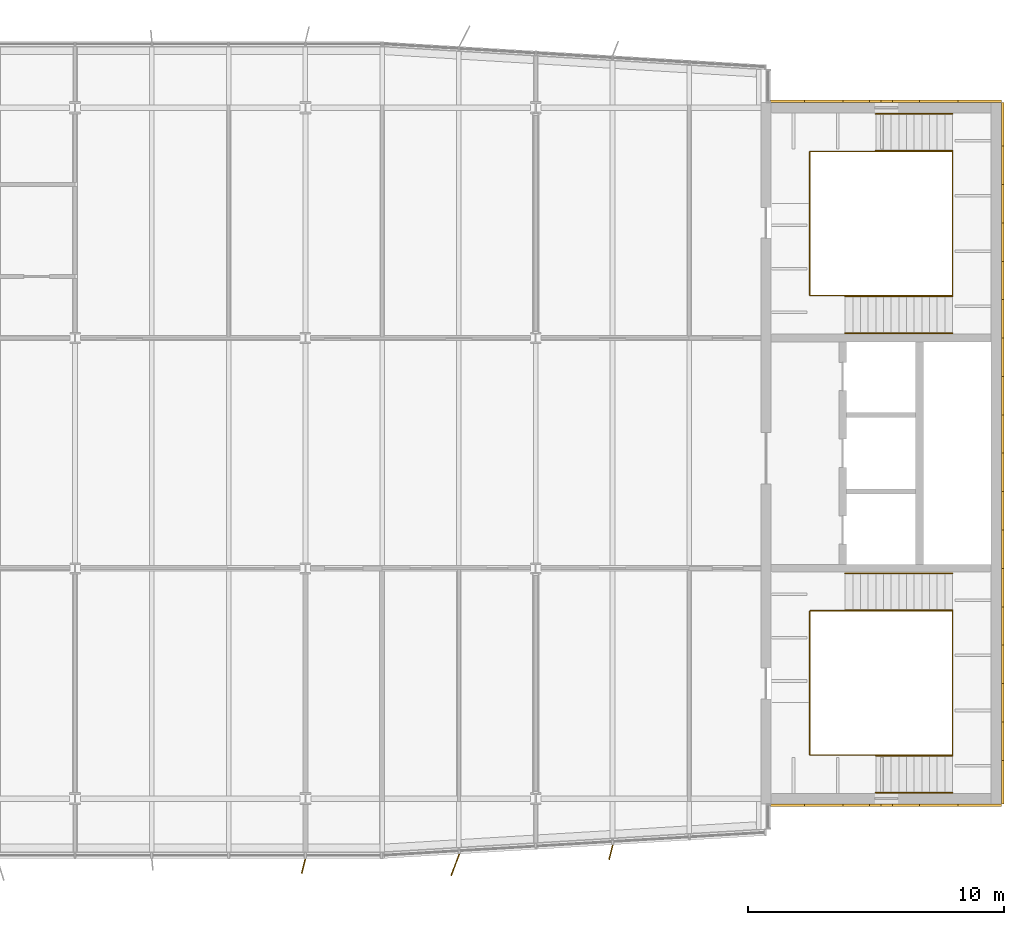
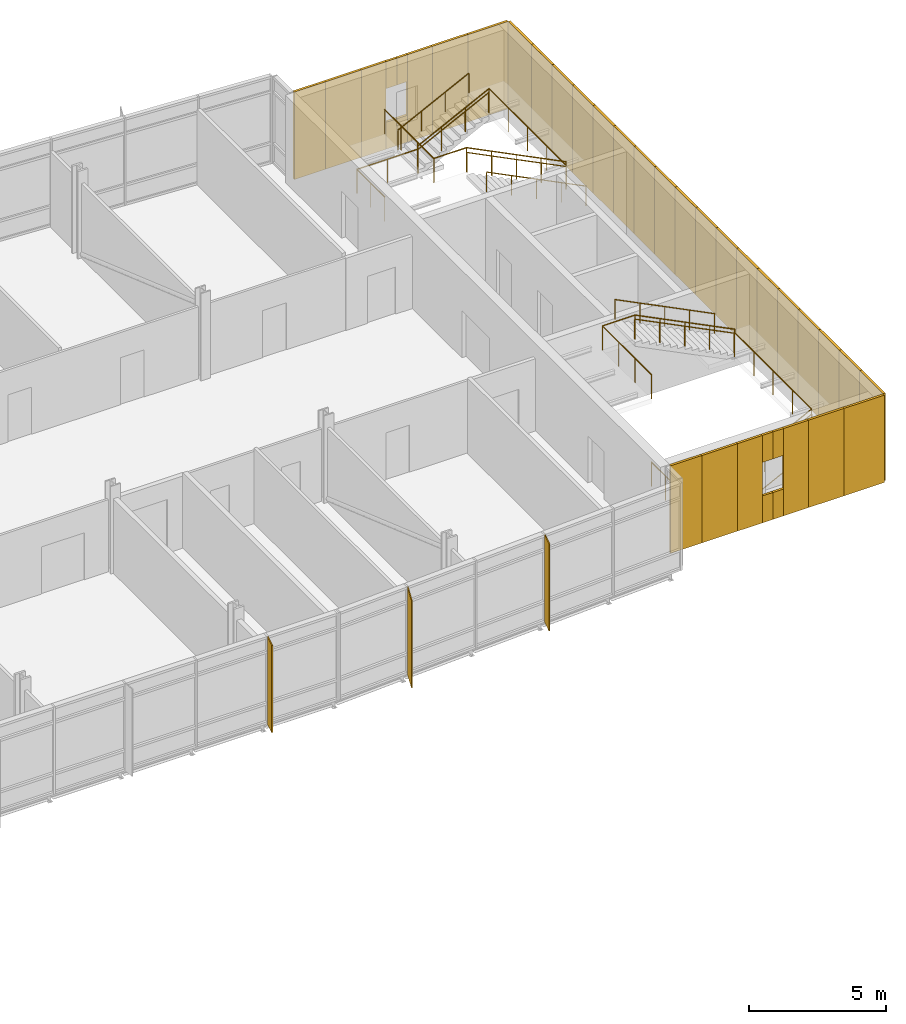
# One storey, part 16 of 17: 38 coverings, 10 railings, 3 shading devices.
"""IFC4 building model written with IfcOpenShell, lengths in metres."""

from ifc_helpers import new_model, si_unit, direction, frame, origin, origin_2d, place, context, subcontext, project, spatial, rectangle, circle, extrude, material, layer, layer_set, type_object, element, save


model = new_model("IFC4")

# Units and contexts
model_context = context("Model", 3, precision=1e-05, world=origin(), true_north=direction((0.0, 1.0)))
body_context = subcontext(model_context, "Body", "Model", "MODEL_VIEW")
ifc_project = project(units=[si_unit("LENGTHUNIT", "METRE"), si_unit("AREAUNIT", "SQUARE_METRE"), si_unit("VOLUMEUNIT", "CUBIC_METRE"), si_unit("PLANEANGLEUNIT", "RADIAN"), si_unit("MASSUNIT", "GRAM", prefix="KILO")], contexts=[model_context])

# Site, building, storey
site_placement = place(None, origin())
site = spatial("IfcSite", under=ifc_project, at=site_placement, CompositionType="ELEMENT")
building_placement = place(site_placement, origin())
building = spatial("IfcBuilding", under=site, at=building_placement, Name="Azimuth Sports and Learning Centre", CompositionType="ELEMENT")
storey_placement = place(building_placement, frame((0.0, 0.0, 40.199951171875)))
storey = spatial("IfcBuildingStorey", under=building, at=storey_placement, Name="L08", CompositionType="ELEMENT", Elevation=40.199951171875)

# Coverings
ifc_material_1 = material(Name="Cladding panel")
ifc_layer_1 = layer(ifc_material_1, 0.10009765625)
ifc_layer_set_1 = layer_set([ifc_layer_1], Name="Cladding panel")
covering_type = type_object("IfcCoveringType", Name="Cladding panel 100", PredefinedType="CLADDING", material=ifc_layer_set_1)
covering_1_placement = place(storey_placement, frame((108.840087890625, 89.75, 0.0), z_axis=(0.0, 0.0, 1.0), x_axis=(1.0, 0.0, 0.0)))
element("IfcCovering", 1, at=covering_1_placement, inside=storey, type_object=covering_type, Name="Cladding panel S-CORE E L08 1", PredefinedType="CLADDING", context=body_context, shape_type="SweptSolid", body=[
    extrude(rectangle(XDim=1.320068359375, YDim=0.10009765625, at=origin_2d()), origin(), (0.0, 0.0, 1.0), 3.89990234375),
])
covering_2_placement = place(storey_placement, frame((110.25, 89.75, 0.0), z_axis=(0.0, 0.0, 1.0), x_axis=(1.0, 0.0, 0.0)))
element("IfcCovering", 2, at=covering_2_placement, inside=storey, type_object=covering_type, Name="Cladding panel S-CORE E L08 2", PredefinedType="CLADDING", context=body_context, shape_type="SweptSolid", body=[
    extrude(rectangle(XDim=1.5, YDim=0.10009765625, at=origin_2d()), origin(), (0.0, 0.0, 1.0), 3.89990234375),
])
covering_3_placement = place(storey_placement, frame((111.52490234375, 89.75, 0.0), z_axis=(0.0, 0.0, 1.0), x_axis=(1.0, 0.0, 0.0)))
element("IfcCovering", 3, at=covering_3_placement, inside=storey, type_object=covering_type, Name="Cladding panel S-CORE E L08 3", PredefinedType="CLADDING", context=body_context, shape_type="SweptSolid", body=[
    extrude(rectangle(XDim=1.050048828125, YDim=0.10009765625, at=origin_2d()), origin(), (0.0, 0.0, 1.0), 3.89990234375),
])
for number, where, z_axis, x_axis, name in (
    (4, (112.27490234375, 89.75, 0.0), (0.0, 0.0, 1.0), (1.0, 0.0, 0.0), "Cladding panel S-CORE E L08 4"),
    (5, (112.27490234375, 89.75, 2.7001953125), (0.0, 0.0, 1.0), (1.0, 0.0, 0.0), "Cladding panel S-CORE E L08 5"),
):
    element("IfcCovering", number, at=place(storey_placement, frame(where, z_axis=z_axis, x_axis=x_axis)), inside=storey, type_object=covering_type, Name=name, PredefinedType="CLADDING", context=body_context, shape_type="SweptSolid", body=[
        extrude(rectangle(XDim=0.449951171875, YDim=0.10009765625, at=origin_2d()), origin(), (0.0, 0.0, 1.0), 1.199951171875),
    ])
covering_4_placement = place(storey_placement, frame((113.47509765625, 89.75, 0.0), z_axis=(0.0, 0.0, 1.0), x_axis=(1.0, 0.0, 0.0)))
element("IfcCovering", 6, at=covering_4_placement, inside=storey, type_object=covering_type, Name="Cladding panel S-CORE E L08 6", PredefinedType="CLADDING", context=body_context, shape_type="SweptSolid", body=[
    extrude(rectangle(XDim=1.050048828125, YDim=0.10009765625, at=origin_2d()), origin(), (0.0, 0.0, 1.0), 3.89990234375),
])
for number, where, z_axis, x_axis, name in (
    (7, (112.72509765625, 89.75, 0.0), (0.0, 0.0, 1.0), (1.0, 0.0, 0.0), "Cladding panel S-CORE E L08 7"),
    (8, (112.72509765625, 89.75, 2.7001953125), (0.0, 0.0, 1.0), (1.0, 0.0, 0.0), "Cladding panel S-CORE E L08 8"),
):
    element("IfcCovering", number, at=place(storey_placement, frame(where, z_axis=z_axis, x_axis=x_axis)), inside=storey, type_object=covering_type, Name=name, PredefinedType="CLADDING", context=body_context, shape_type="SweptSolid", body=[
        extrude(rectangle(XDim=0.449951171875, YDim=0.10009765625, at=origin_2d()), origin(), (0.0, 0.0, 1.0), 1.199951171875),
    ])
covering_5_placement = place(storey_placement, frame((114.75, 89.75, 0.0), z_axis=(0.0, 0.0, 1.0), x_axis=(1.0, 0.0, 0.0)))
element("IfcCovering", 9, at=covering_5_placement, inside=storey, type_object=covering_type, Name="Cladding panel S-CORE E L08 9", PredefinedType="CLADDING", context=body_context, shape_type="SweptSolid", body=[
    extrude(rectangle(XDim=1.5, YDim=0.10009765625, at=origin_2d()), origin(), (0.0, 0.0, 1.0), 3.89990234375),
])
for number, where, z_axis, x_axis, name in (
    (10, (116.35009765625, 89.75, 0.0), (0.0, 0.0, 1.0), (1.0, 0.0, 0.0), "Cladding panel S-CORE E L08 10"),
    (11, (117.25, 90.64990234375, 0.0), (0.0, 0.0, 1.0), (0.0, 1.0, 0.0), "Cladding panel E-CORE E L08 1"),
):
    element("IfcCovering", number, at=place(storey_placement, frame(where, z_axis=z_axis, x_axis=x_axis)), inside=storey, type_object=covering_type, Name=name, PredefinedType="CLADDING", context=body_context, shape_type="SweptSolid", body=[
        extrude(rectangle(XDim=1.699951171875, YDim=0.10009765625, at=origin_2d()), origin(), (0.0, 0.0, 1.0), 3.89990234375),
    ])
for number, where, z_axis, x_axis, name in (
    (12, (117.25, 92.25, 0.0), (0.0, 0.0, 1.0), (0.0, 1.0, 0.0), "Cladding panel E-CORE E L08 2"),
    (13, (117.25, 93.75, 0.0), (0.0, 0.0, 1.0), (0.0, 1.0, 0.0), "Cladding panel E-CORE E L08 3"),
    (14, (117.25, 95.25, 0.0), (0.0, 0.0, 1.0), (0.0, 1.0, 0.0), "Cladding panel E-CORE E L08 4"),
    (15, (117.25, 96.75, 0.0), (0.0, 0.0, 1.0), (0.0, 1.0, 0.0), "Cladding panel E-CORE E L08 5"),
    (16, (117.25, 98.25, 0.0), (0.0, 0.0, 1.0), (0.0, 1.0, 0.0), "Cladding panel E-CORE E L08 6"),
    (17, (117.25, 99.75, 0.0), (0.0, 0.0, 1.0), (0.0, 1.0, 0.0), "Cladding panel E-CORE E L08 7"),
    (18, (117.25, 101.25, 0.0), (0.0, 0.0, 1.0), (0.0, 1.0, 0.0), "Cladding panel E-CORE E L08 8"),
    (19, (117.25, 102.75, 0.0), (0.0, 0.0, 1.0), (0.0, 1.0, 0.0), "Cladding panel E-CORE E L08 9"),
    (20, (117.25, 104.25, 0.0), (0.0, 0.0, 1.0), (0.0, 1.0, 0.0), "Cladding panel E-CORE E L08 10"),
    (21, (117.25, 105.75, 0.0), (0.0, 0.0, 1.0), (0.0, 1.0, 0.0), "Cladding panel E-CORE E L08 11"),
    (22, (117.25, 107.25, 0.0), (0.0, 0.0, 1.0), (0.0, 1.0, 0.0), "Cladding panel E-CORE E L08 12"),
    (23, (117.25, 108.75, 0.0), (0.0, 0.0, 1.0), (0.0, 1.0, 0.0), "Cladding panel E-CORE E L08 13"),
    (24, (117.25, 110.25, 0.0), (0.0, 0.0, 1.0), (0.0, 1.0, 0.0), "Cladding panel E-CORE E L08 14"),
    (25, (117.25, 111.75, 0.0), (0.0, 0.0, 1.0), (0.0, 1.0, 0.0), "Cladding panel E-CORE E L08 15"),
    (26, (117.25, 113.25, 0.0), (0.0, 0.0, 1.0), (0.0, 1.0, 0.0), "Cladding panel E-CORE E L08 16"),
    (27, (117.25, 114.75, 0.0), (0.0, 0.0, 1.0), (0.0, 1.0, 0.0), "Cladding panel E-CORE E L08 17"),
):
    element("IfcCovering", number, at=place(storey_placement, frame(where, z_axis=z_axis, x_axis=x_axis)), inside=storey, type_object=covering_type, Name=name, PredefinedType="CLADDING", context=body_context, shape_type="SweptSolid", body=[
        extrude(rectangle(XDim=1.5, YDim=0.10009765625, at=origin_2d()), origin(), (0.0, 0.0, 1.0), 3.89990234375),
    ])
for number, where, z_axis, x_axis, name in (
    (28, (117.25, 116.35009765625, 0.0), (0.0, 0.0, 1.0), (0.0, 1.0, 0.0), "Cladding panel E-CORE E L08 18"),
    (29, (116.35009765625, 117.25, 0.0), (0.0, 0.0, 1.0), (-1.0, 0.0, 0.0), "Cladding panel N-CORE E L08 1"),
):
    element("IfcCovering", number, at=place(storey_placement, frame(where, z_axis=z_axis, x_axis=x_axis)), inside=storey, type_object=covering_type, Name=name, PredefinedType="CLADDING", context=body_context, shape_type="SweptSolid", body=[
        extrude(rectangle(XDim=1.699951171875, YDim=0.10009765625, at=origin_2d()), origin(), (0.0, 0.0, 1.0), 3.89990234375),
    ])
covering_6_placement = place(storey_placement, frame((114.75, 117.25, 0.0), z_axis=(0.0, 0.0, 1.0), x_axis=(-1.0, 0.0, 0.0)))
element("IfcCovering", 30, at=covering_6_placement, inside=storey, type_object=covering_type, Name="Cladding panel N-CORE E L08 2", PredefinedType="CLADDING", context=body_context, shape_type="SweptSolid", body=[
    extrude(rectangle(XDim=1.5, YDim=0.10009765625, at=origin_2d()), origin(), (0.0, 0.0, 1.0), 3.89990234375),
])
covering_7_placement = place(storey_placement, frame((113.47509765625, 117.25, 0.0), z_axis=(0.0, 0.0, 1.0), x_axis=(-1.0, 0.0, 0.0)))
element("IfcCovering", 31, at=covering_7_placement, inside=storey, type_object=covering_type, Name="Cladding panel N-CORE E L08 3", PredefinedType="CLADDING", context=body_context, shape_type="SweptSolid", body=[
    extrude(rectangle(XDim=1.050048828125, YDim=0.10009765625, at=origin_2d()), origin(), (0.0, 0.0, 1.0), 3.89990234375),
])
for number, where, z_axis, x_axis, name in (
    (32, (112.72509765625, 117.25, 0.0), (0.0, 0.0, 1.0), (-1.0, 0.0, 0.0), "Cladding panel N-CORE E L08 4"),
    (33, (112.72509765625, 117.25, 2.7001953125), (0.0, 0.0, 1.0), (-1.0, 0.0, 0.0), "Cladding panel N-CORE E L08 5"),
):
    element("IfcCovering", number, at=place(storey_placement, frame(where, z_axis=z_axis, x_axis=x_axis)), inside=storey, type_object=covering_type, Name=name, PredefinedType="CLADDING", context=body_context, shape_type="SweptSolid", body=[
        extrude(rectangle(XDim=0.449951171875, YDim=0.10009765625, at=origin_2d()), origin(), (0.0, 0.0, 1.0), 1.199951171875),
    ])
covering_8_placement = place(storey_placement, frame((111.52490234375, 117.25, 0.0), z_axis=(0.0, 0.0, 1.0), x_axis=(-1.0, 0.0, 0.0)))
element("IfcCovering", 34, at=covering_8_placement, inside=storey, type_object=covering_type, Name="Cladding panel N-CORE E L08 6", PredefinedType="CLADDING", context=body_context, shape_type="SweptSolid", body=[
    extrude(rectangle(XDim=1.050048828125, YDim=0.10009765625, at=origin_2d()), origin(), (0.0, 0.0, 1.0), 3.89990234375),
])
for number, where, z_axis, x_axis, name in (
    (35, (112.27490234375, 117.25, 0.0), (0.0, 0.0, 1.0), (-1.0, 0.0, 0.0), "Cladding panel N-CORE E L08 7"),
    (36, (112.27490234375, 117.25, 2.7001953125), (0.0, 0.0, 1.0), (-1.0, 0.0, 0.0), "Cladding panel N-CORE E L08 8"),
):
    element("IfcCovering", number, at=place(storey_placement, frame(where, z_axis=z_axis, x_axis=x_axis)), inside=storey, type_object=covering_type, Name=name, PredefinedType="CLADDING", context=body_context, shape_type="SweptSolid", body=[
        extrude(rectangle(XDim=0.449951171875, YDim=0.10009765625, at=origin_2d()), origin(), (0.0, 0.0, 1.0), 1.199951171875),
    ])
covering_9_placement = place(storey_placement, frame((110.25, 117.25, 0.0), z_axis=(0.0, 0.0, 1.0), x_axis=(-1.0, 0.0, 0.0)))
element("IfcCovering", 37, at=covering_9_placement, inside=storey, type_object=covering_type, Name="Cladding panel N-CORE E L08 9", PredefinedType="CLADDING", context=body_context, shape_type="SweptSolid", body=[
    extrude(rectangle(XDim=1.5, YDim=0.10009765625, at=origin_2d()), origin(), (0.0, 0.0, 1.0), 3.89990234375),
])
covering_10_placement = place(storey_placement, frame((108.840087890625, 117.25, 0.0), z_axis=(0.0, 0.0, 1.0), x_axis=(-1.0, 0.0, 0.0)))
element("IfcCovering", 38, at=covering_10_placement, inside=storey, type_object=covering_type, Name="Cladding panel N-CORE E L08 10", PredefinedType="CLADDING", context=body_context, shape_type="SweptSolid", body=[
    extrude(rectangle(XDim=1.320068359375, YDim=0.10009765625, at=origin_2d()), origin(), (0.0, 0.0, 1.0), 3.89990234375),
])

# Shading devices
ifc_material_2 = material(Name="Aluminium", Category="aluminium")
ifc_layer_2 = layer(ifc_material_2, 0.0400390625)
ifc_layer_set_2 = layer_set([ifc_layer_2], Name="Aluminium")
shading_device_type_1 = type_object("IfcShadingDeviceType", Name="Shading fin 600", PredefinedType="JALOUSIE", material=ifc_layer_set_2)
for number, where, z_axis, x_axis, name in (
    (39, (89.927001953125, 87.369140625, 0.0), (0.0, 0.0, 1.0), (-0.243730896369, -0.969842899729, 0.0), "Shading fin F08-005"),
    (40, (101.939697265625, 87.909912109375, 0.0), (0.0, 0.0, 1.0), (-0.24872137434, -0.968575076051, 0.0), "Shading fin F08-007"),
):
    element("IfcShadingDevice", number, at=place(storey_placement, frame(where, z_axis=z_axis, x_axis=x_axis)), inside=storey, type_object=shading_device_type_1, Name=name, PredefinedType="JALOUSIE", context=body_context, shape_type="SweptSolid", body=[
        extrude(rectangle(XDim=0.60009765625, YDim=0.0400390625, at=origin_2d()), origin(), (0.0, 0.0, 1.0), 3.89990234375),
    ])
ifc_material_3 = material(Name="Aluminium", Category="aluminium")
ifc_layer_3 = layer(ifc_material_3, 0.0400390625)
ifc_layer_set_3 = layer_set([ifc_layer_3], Name="Aluminium")
shading_device_type_2 = type_object("IfcShadingDeviceType", Name="Shading fin 900", PredefinedType="JALOUSIE", material=ifc_layer_set_3)
shading_device_placement = place(storey_placement, frame((95.857177734375, 87.418701171875, 0.0), z_axis=(0.0, 0.0, 1.0), x_axis=(-0.349143100646, -0.937069418598, 0.0)))
element("IfcShadingDevice", 41, at=shading_device_placement, inside=storey, type_object=shading_device_type_2, Name="Shading fin F08-006", PredefinedType="JALOUSIE", context=body_context, shape_type="SweptSolid", body=[
    extrude(rectangle(XDim=0.89990234375, YDim=0.0400390625, at=origin_2d()), origin(), (0.0, 0.0, 1.0), 3.89990234375),
])

# Railings
ifc_material_4 = material(Name="Stainless steel", Category="steel")
railing_type_1 = type_object("IfcRailingType", Name="Stair guard 1100", PredefinedType="GUARDRAIL", material=ifc_material_4)
railing_1_placement = place(storey_placement, frame((109.7099609375, 93.75, 0.0)))
element("IfcRailing", 42, at=railing_1_placement, inside=storey, type_object=railing_type_1, Name="Guard E1 L08 well", PredefinedType="GUARDRAIL", context=body_context, shape_type="SweptSolid", body=[
    extrude(circle(Radius=0.02392578125, at=origin_2d()), frame((0.0, 0.0, 1.076171875), z_axis=(0.0, -1.0, 0.0), x_axis=(1.0, 0.0, 0.0)), (0.0, 0.0, 1.0), 2.0400390625),
    extrude(circle(Radius=0.02392578125, at=origin_2d()), frame((0.0, -2.0400390625, 1.076171875), z_axis=(1.0, 0.0, 0.0), x_axis=(0.0, 1.0, 0.0)), (0.0, 0.0, 1.0), 2.580078125),
    extrude(circle(Radius=0.02392578125, at=origin_2d()), frame((2.580078125, -2.0400390625, 1.076171875), z_axis=(0.0, 0.0, 1.0), x_axis=(1.0, 0.0, 0.0)), (0.0, 0.0, 1.0), 0.150146484375),
    extrude(circle(Radius=0.02392578125, at=origin_2d()), frame((2.580078125, -2.0400390625, 1.22607421875), z_axis=(0.894427191, 0.0, 0.4472135955), x_axis=(0.0, 1.0, 0.0)), (0.0, 0.0, 1.0), 3.35400390625),
    extrude(circle(Radius=0.02392578125, at=origin_2d()), frame((5.580078125, -2.0400390625, 2.72607421875), z_axis=(0.0, 1.0, 0.0), x_axis=(-1.0, 0.0, 0.0)), (0.0, 0.0, 1.0), 5.630126953125),
    extrude(circle(Radius=0.02392578125, at=origin_2d()), frame((5.580078125, 3.590087890625, 2.72607421875), z_axis=(0.0, 0.0, 1.0), x_axis=(1.0, 0.0, 0.0)), (0.0, 0.0, 1.0), 0.14990234375),
    extrude(circle(Radius=0.02392578125, at=origin_2d()), frame((5.580078125, 3.590087890625, 2.8759765625), z_axis=(-0.894416792377, 0.0, 0.447234392142), x_axis=(0.0, -1.0, 0.0)), (0.0, 0.0, 1.0), 4.69580078125),
    extrude(circle(Radius=0.02392578125, at=origin_2d()), frame((1.380126953125, 3.590087890625, 4.97607421875), z_axis=(-1.0, 0.0, 0.0), x_axis=(0.0, -1.0, 0.0)), (0.0, 0.0, 1.0), 1.380126953125),
    extrude(circle(Radius=0.02392578125, at=origin_2d()), frame((0.0, 3.590087890625, 4.97607421875), z_axis=(0.0, -1.0, 0.0), x_axis=(1.0, 0.0, 0.0)), (0.0, 0.0, 1.0), 3.590087890625),
    extrude(circle(Radius=0.01611328125, at=origin_2d()), origin(), (0.0, 0.0, 1.0), 1.052001953125),
    extrude(circle(Radius=0.01611328125, at=origin_2d()), frame((0.0, -1.02001953125, 0.0)), (0.0, 0.0, 1.0), 1.052001953125),
    extrude(circle(Radius=0.01611328125, at=origin_2d()), frame((0.0, -2.0400390625, 0.0)), (0.0, 0.0, 1.0), 1.052001953125),
    extrude(circle(Radius=0.01611328125, at=origin_2d()), frame((1.2900390625, -2.0400390625, 0.0)), (0.0, 0.0, 1.0), 1.052001953125),
    extrude(circle(Radius=0.01611328125, at=origin_2d()), frame((2.580078125, -2.0400390625, 0.0)), (0.0, 0.0, 1.0), 1.052001953125),
    extrude(circle(Radius=0.01611328125, at=origin_2d()), frame((2.580078125, -2.0400390625, 0.150146484375)), (0.0, 0.0, 1.0), 1.052001953125),
    extrude(circle(Radius=0.01611328125, at=origin_2d()), frame((3.580078125, -2.0400390625, 0.650146484375)), (0.0, 0.0, 1.0), 1.052001953125),
    extrude(circle(Radius=0.01611328125, at=origin_2d()), frame((4.580078125, -2.0400390625, 1.150146484375)), (0.0, 0.0, 1.0), 1.052001953125),
    extrude(circle(Radius=0.01611328125, at=origin_2d()), frame((5.580078125, -2.0400390625, 1.650146484375)), (0.0, 0.0, 1.0), 1.052001953125),
    extrude(circle(Radius=0.01611328125, at=origin_2d()), frame((5.580078125, -0.632568359375, 1.650146484375)), (0.0, 0.0, 1.0), 1.052001953125),
    extrude(circle(Radius=0.01611328125, at=origin_2d()), frame((5.580078125, 0.77490234375, 1.650146484375)), (0.0, 0.0, 1.0), 1.052001953125),
    extrude(circle(Radius=0.01611328125, at=origin_2d()), frame((5.580078125, 2.1826171875, 1.650146484375)), (0.0, 0.0, 1.0), 1.052001953125),
    extrude(circle(Radius=0.01611328125, at=origin_2d()), frame((5.580078125, 3.590087890625, 1.650146484375)), (0.0, 0.0, 1.0), 1.052001953125),
    extrude(circle(Radius=0.01611328125, at=origin_2d()), frame((5.580078125, 3.590087890625, 1.800048828125)), (0.0, 0.0, 1.0), 1.052001953125),
    extrude(circle(Radius=0.01611328125, at=origin_2d()), frame((4.530029296875, 3.590087890625, 2.3251953125)), (0.0, 0.0, 1.0), 1.052001953125),
    extrude(circle(Radius=0.01611328125, at=origin_2d()), frame((3.47998046875, 3.590087890625, 2.85009765625)), (0.0, 0.0, 1.0), 1.052001953125),
    extrude(circle(Radius=0.01611328125, at=origin_2d()), frame((2.43017578125, 3.590087890625, 3.375)), (0.0, 0.0, 1.0), 1.052001953125),
    extrude(circle(Radius=0.01611328125, at=origin_2d()), frame((1.380126953125, 3.590087890625, 3.900146484375)), (0.0, 0.0, 1.0), 1.052001953125),
    extrude(circle(Radius=0.01611328125, at=origin_2d()), frame((0.0, 3.590087890625, 3.900146484375)), (0.0, 0.0, 1.0), 1.052001953125),
    extrude(circle(Radius=0.01611328125, at=origin_2d()), frame((0.0, 2.393310546875, 3.900146484375)), (0.0, 0.0, 1.0), 1.052001953125),
    extrude(circle(Radius=0.01611328125, at=origin_2d()), frame((0.0, 1.19677734375, 3.900146484375)), (0.0, 0.0, 1.0), 1.052001953125),
    extrude(circle(Radius=0.01611328125, at=origin_2d()), frame((0.0, 0.0, 3.900146484375)), (0.0, 0.0, 1.0), 1.052001953125),
])
railing_2_placement = place(storey_placement, frame((109.7099609375, 113.25, 0.0)))
element("IfcRailing", 43, at=railing_2_placement, inside=storey, type_object=railing_type_1, Name="Guard E2 L08 well", PredefinedType="GUARDRAIL", context=body_context, shape_type="SweptSolid", body=[
    extrude(circle(Radius=0.02392578125, at=origin_2d()), frame((0.0, 0.0, 1.076171875), z_axis=(0.0, 1.0, 0.0), x_axis=(-1.0, 0.0, 0.0)), (0.0, 0.0, 1.0), 2.0400390625),
    extrude(circle(Radius=0.02392578125, at=origin_2d()), frame((0.0, 2.0400390625, 1.076171875), z_axis=(1.0, 0.0, 0.0), x_axis=(0.0, 1.0, 0.0)), (0.0, 0.0, 1.0), 2.580078125),
    extrude(circle(Radius=0.02392578125, at=origin_2d()), frame((2.580078125, 2.0400390625, 1.076171875), z_axis=(0.0, 0.0, 1.0), x_axis=(1.0, 0.0, 0.0)), (0.0, 0.0, 1.0), 0.150146484375),
    extrude(circle(Radius=0.02392578125, at=origin_2d()), frame((2.580078125, 2.0400390625, 1.22607421875), z_axis=(0.894427191, 0.0, 0.4472135955), x_axis=(0.0, 1.0, 0.0)), (0.0, 0.0, 1.0), 3.35400390625),
    extrude(circle(Radius=0.02392578125, at=origin_2d()), frame((5.580078125, 2.0400390625, 2.72607421875), z_axis=(0.0, -1.0, 0.0), x_axis=(1.0, 0.0, 0.0)), (0.0, 0.0, 1.0), 5.630126953125),
    extrude(circle(Radius=0.02392578125, at=origin_2d()), frame((5.580078125, -3.590087890625, 2.72607421875), z_axis=(0.0, 0.0, 1.0), x_axis=(1.0, 0.0, 0.0)), (0.0, 0.0, 1.0), 0.14990234375),
    extrude(circle(Radius=0.02392578125, at=origin_2d()), frame((5.580078125, -3.590087890625, 2.8759765625), z_axis=(-0.894416792377, 0.0, 0.447234392142), x_axis=(0.0, -1.0, 0.0)), (0.0, 0.0, 1.0), 4.69580078125),
    extrude(circle(Radius=0.02392578125, at=origin_2d()), frame((1.380126953125, -3.590087890625, 4.97607421875), z_axis=(-1.0, 0.0, 0.0), x_axis=(0.0, -1.0, 0.0)), (0.0, 0.0, 1.0), 1.380126953125),
    extrude(circle(Radius=0.02392578125, at=origin_2d()), frame((0.0, -3.590087890625, 4.97607421875), z_axis=(0.0, 1.0, 0.0), x_axis=(-1.0, 0.0, 0.0)), (0.0, 0.0, 1.0), 3.590087890625),
    extrude(circle(Radius=0.01611328125, at=origin_2d()), origin(), (0.0, 0.0, 1.0), 1.052001953125),
    extrude(circle(Radius=0.01611328125, at=origin_2d()), frame((0.0, 1.02001953125, 0.0)), (0.0, 0.0, 1.0), 1.052001953125),
    extrude(circle(Radius=0.01611328125, at=origin_2d()), frame((0.0, 2.0400390625, 0.0)), (0.0, 0.0, 1.0), 1.052001953125),
    extrude(circle(Radius=0.01611328125, at=origin_2d()), frame((1.2900390625, 2.0400390625, 0.0)), (0.0, 0.0, 1.0), 1.052001953125),
    extrude(circle(Radius=0.01611328125, at=origin_2d()), frame((2.580078125, 2.0400390625, 0.0)), (0.0, 0.0, 1.0), 1.052001953125),
    extrude(circle(Radius=0.01611328125, at=origin_2d()), frame((2.580078125, 2.0400390625, 0.150146484375)), (0.0, 0.0, 1.0), 1.052001953125),
    extrude(circle(Radius=0.01611328125, at=origin_2d()), frame((3.580078125, 2.0400390625, 0.650146484375)), (0.0, 0.0, 1.0), 1.052001953125),
    extrude(circle(Radius=0.01611328125, at=origin_2d()), frame((4.580078125, 2.0400390625, 1.150146484375)), (0.0, 0.0, 1.0), 1.052001953125),
    extrude(circle(Radius=0.01611328125, at=origin_2d()), frame((5.580078125, 2.0400390625, 1.650146484375)), (0.0, 0.0, 1.0), 1.052001953125),
    extrude(circle(Radius=0.01611328125, at=origin_2d()), frame((5.580078125, 0.632568359375, 1.650146484375)), (0.0, 0.0, 1.0), 1.052001953125),
    extrude(circle(Radius=0.01611328125, at=origin_2d()), frame((5.580078125, -0.77490234375, 1.650146484375)), (0.0, 0.0, 1.0), 1.052001953125),
    extrude(circle(Radius=0.01611328125, at=origin_2d()), frame((5.580078125, -2.1826171875, 1.650146484375)), (0.0, 0.0, 1.0), 1.052001953125),
    extrude(circle(Radius=0.01611328125, at=origin_2d()), frame((5.580078125, -3.590087890625, 1.650146484375)), (0.0, 0.0, 1.0), 1.052001953125),
    extrude(circle(Radius=0.01611328125, at=origin_2d()), frame((5.580078125, -3.590087890625, 1.800048828125)), (0.0, 0.0, 1.0), 1.052001953125),
    extrude(circle(Radius=0.01611328125, at=origin_2d()), frame((4.530029296875, -3.590087890625, 2.3251953125)), (0.0, 0.0, 1.0), 1.052001953125),
    extrude(circle(Radius=0.01611328125, at=origin_2d()), frame((3.47998046875, -3.590087890625, 2.85009765625)), (0.0, 0.0, 1.0), 1.052001953125),
    extrude(circle(Radius=0.01611328125, at=origin_2d()), frame((2.43017578125, -3.590087890625, 3.375)), (0.0, 0.0, 1.0), 1.052001953125),
    extrude(circle(Radius=0.01611328125, at=origin_2d()), frame((1.380126953125, -3.590087890625, 3.900146484375)), (0.0, 0.0, 1.0), 1.052001953125),
    extrude(circle(Radius=0.01611328125, at=origin_2d()), frame((0.0, -3.590087890625, 3.900146484375)), (0.0, 0.0, 1.0), 1.052001953125),
    extrude(circle(Radius=0.01611328125, at=origin_2d()), frame((0.0, -2.393310546875, 3.900146484375)), (0.0, 0.0, 1.0), 1.052001953125),
    extrude(circle(Radius=0.01611328125, at=origin_2d()), frame((0.0, -1.19677734375, 3.900146484375)), (0.0, 0.0, 1.0), 1.052001953125),
    extrude(circle(Radius=0.01611328125, at=origin_2d()), frame((0.0, 0.0, 3.900146484375)), (0.0, 0.0, 1.0), 1.052001953125),
])
ifc_material_5 = material(Name="Stainless steel", Category="steel")
railing_type_2 = type_object("IfcRailingType", Name="Stair handrail 42", PredefinedType="HANDRAIL", material=ifc_material_5)
for number, where, name in (
    (44, (112.2900390625, 91.679931640625, 0.150146484375), "Handrail E1 L08 flight 1 inner"),
    (45, (112.2900390625, 90.239990234375, 0.150146484375), "Handrail E1 L08 flight 1 outer"),
):
    element("IfcRailing", number, at=place(storey_placement, frame(where)), inside=storey, type_object=railing_type_2, Name=name, PredefinedType="HANDRAIL", context=body_context, shape_type="SweptSolid", body=[
        extrude(circle(Radius=0.02099609375, at=origin_2d()), frame((0.0, 0.0, 0.87890625), z_axis=(0.894427191, 0.0, 0.4472135955), x_axis=(0.0, 1.0, 0.0)), (0.0, 0.0, 1.0), 3.35400390625),
        extrude(circle(Radius=0.01611328125, at=origin_2d()), origin(), (0.0, 0.0, 1.0), 0.85791015625),
        extrude(circle(Radius=0.01611328125, at=origin_2d()), frame((1.0, 0.0, 0.5)), (0.0, 0.0, 1.0), 0.85791015625),
        extrude(circle(Radius=0.01611328125, at=origin_2d()), frame((2.0, 0.0, 1.0)), (0.0, 0.0, 1.0), 0.85791015625),
        extrude(circle(Radius=0.01611328125, at=origin_2d()), frame((3.0, 0.0, 1.5)), (0.0, 0.0, 1.0), 0.85791015625),
    ])
for number, where, name in (
    (46, (115.2900390625, 97.3701171875, 1.800048828125), "Handrail E1 L08 flight 2 inner"),
    (47, (115.2900390625, 98.81005859375, 1.800048828125), "Handrail E1 L08 flight 2 outer"),
):
    element("IfcRailing", number, at=place(storey_placement, frame(where)), inside=storey, type_object=railing_type_2, Name=name, PredefinedType="HANDRAIL", context=body_context, shape_type="SweptSolid", body=[
        extrude(circle(Radius=0.02099609375, at=origin_2d()), frame((0.0, 0.0, 0.87890625), z_axis=(-0.894416792377, 0.0, 0.447234392142), x_axis=(0.0, -1.0, 0.0)), (0.0, 0.0, 1.0), 4.69580078125),
        extrude(circle(Radius=0.01611328125, at=origin_2d()), origin(), (0.0, 0.0, 1.0), 0.85791015625),
        extrude(circle(Radius=0.01611328125, at=origin_2d()), frame((-1.050048828125, 0.0, 0.52490234375)), (0.0, 0.0, 1.0), 0.85791015625),
        extrude(circle(Radius=0.01611328125, at=origin_2d()), frame((-2.10009765625, 0.0, 1.050048828125)), (0.0, 0.0, 1.0), 0.85791015625),
        extrude(circle(Radius=0.01611328125, at=origin_2d()), frame((-3.14990234375, 0.0, 1.5751953125)), (0.0, 0.0, 1.0), 0.85791015625),
        extrude(circle(Radius=0.01611328125, at=origin_2d()), frame((-4.199951171875, 0.0, 2.10009765625)), (0.0, 0.0, 1.0), 0.85791015625),
    ])
for number, where, name in (
    (48, (112.2900390625, 115.320068359375, 0.150146484375), "Handrail E2 L08 flight 1 inner"),
    (49, (112.2900390625, 116.760009765625, 0.150146484375), "Handrail E2 L08 flight 1 outer"),
):
    element("IfcRailing", number, at=place(storey_placement, frame(where)), inside=storey, type_object=railing_type_2, Name=name, PredefinedType="HANDRAIL", context=body_context, shape_type="SweptSolid", body=[
        extrude(circle(Radius=0.02099609375, at=origin_2d()), frame((0.0, 0.0, 0.87890625), z_axis=(0.894427191, 0.0, 0.4472135955), x_axis=(0.0, 1.0, 0.0)), (0.0, 0.0, 1.0), 3.35400390625),
        extrude(circle(Radius=0.01611328125, at=origin_2d()), origin(), (0.0, 0.0, 1.0), 0.85791015625),
        extrude(circle(Radius=0.01611328125, at=origin_2d()), frame((1.0, 0.0, 0.5)), (0.0, 0.0, 1.0), 0.85791015625),
        extrude(circle(Radius=0.01611328125, at=origin_2d()), frame((2.0, 0.0, 1.0)), (0.0, 0.0, 1.0), 0.85791015625),
        extrude(circle(Radius=0.01611328125, at=origin_2d()), frame((3.0, 0.0, 1.5)), (0.0, 0.0, 1.0), 0.85791015625),
    ])
for number, where, name in (
    (50, (115.2900390625, 109.6298828125, 1.800048828125), "Handrail E2 L08 flight 2 inner"),
    (51, (115.2900390625, 108.18994140625, 1.800048828125), "Handrail E2 L08 flight 2 outer"),
):
    element("IfcRailing", number, at=place(storey_placement, frame(where)), inside=storey, type_object=railing_type_2, Name=name, PredefinedType="HANDRAIL", context=body_context, shape_type="SweptSolid", body=[
        extrude(circle(Radius=0.02099609375, at=origin_2d()), frame((0.0, 0.0, 0.87890625), z_axis=(-0.894416792377, 0.0, 0.447234392142), x_axis=(0.0, -1.0, 0.0)), (0.0, 0.0, 1.0), 4.69580078125),
        extrude(circle(Radius=0.01611328125, at=origin_2d()), origin(), (0.0, 0.0, 1.0), 0.85791015625),
        extrude(circle(Radius=0.01611328125, at=origin_2d()), frame((-1.050048828125, 0.0, 0.52490234375)), (0.0, 0.0, 1.0), 0.85791015625),
        extrude(circle(Radius=0.01611328125, at=origin_2d()), frame((-2.10009765625, 0.0, 1.050048828125)), (0.0, 0.0, 1.0), 0.85791015625),
        extrude(circle(Radius=0.01611328125, at=origin_2d()), frame((-3.14990234375, 0.0, 1.5751953125)), (0.0, 0.0, 1.0), 0.85791015625),
        extrude(circle(Radius=0.01611328125, at=origin_2d()), frame((-4.199951171875, 0.0, 2.10009765625)), (0.0, 0.0, 1.0), 0.85791015625),
    ])

save(model, "model.ifc")
